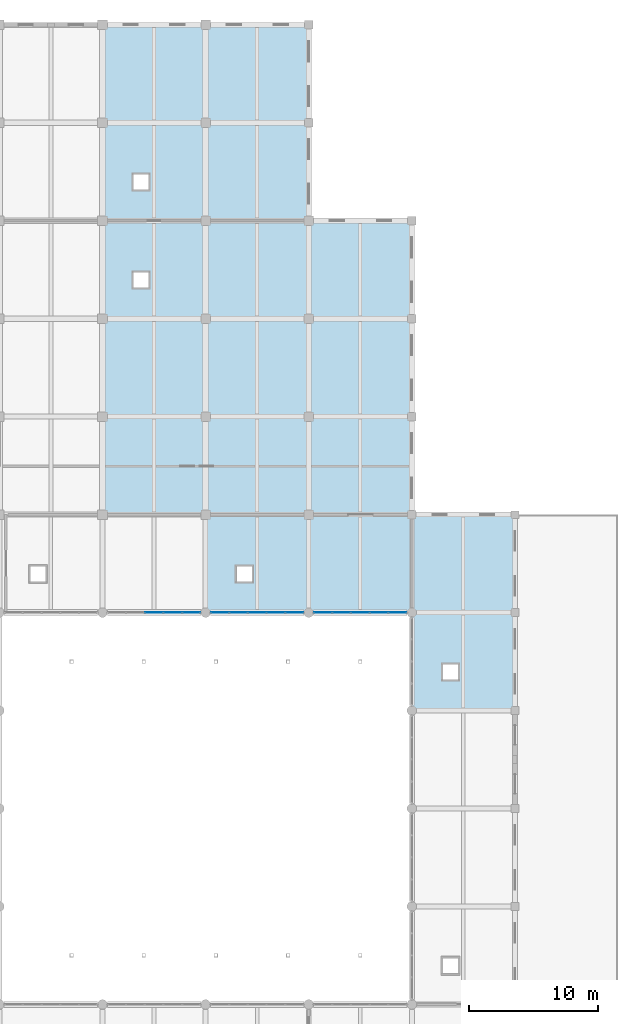
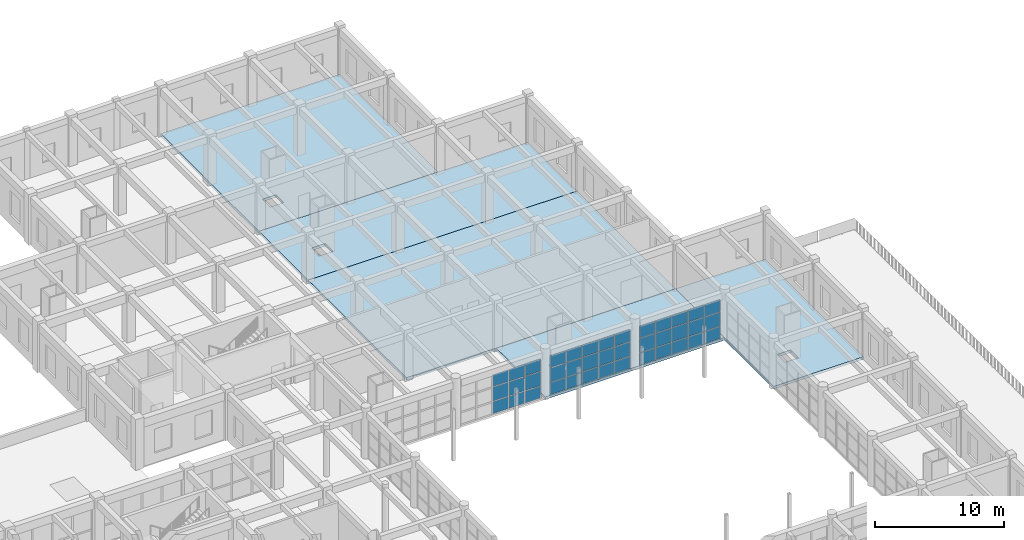
# One storey, part 70 of 101: 39 plates, 5 slabs, 3 elements without a shape of their own.
"""IFC4 building model written with IfcOpenShell, lengths in metres."""

from ifc_helpers import new_model, si_unit, direction, frame, origin, origin_2d, place, context, subcontext, project, spatial, polyline, rectangle, outline, extrude, material, layer, layer_set, type_object, element, aggregate, save


model = new_model("IFC4")

# Units and contexts
model_context = context("Model", 3, precision=1e-05, world=origin(), true_north=direction((0.0, 1.0)))
body_context = subcontext(model_context, "Body", "Model", "MODEL_VIEW")
ifc_project = project(units=[si_unit("LENGTHUNIT", "METRE"), si_unit("AREAUNIT", "SQUARE_METRE"), si_unit("VOLUMEUNIT", "CUBIC_METRE"), si_unit("PLANEANGLEUNIT", "RADIAN"), si_unit("MASSUNIT", "GRAM", prefix="KILO")], contexts=[model_context])

# Site, building, storey
site_placement = place(None, origin())
site = spatial("IfcSite", under=ifc_project, at=site_placement, CompositionType="ELEMENT")
building_placement = place(site_placement, origin())
building = spatial("IfcBuilding", under=site, at=building_placement, Name="Zantavel Square City Hall", CompositionType="ELEMENT")
storey_placement = place(building_placement, frame((0.0, 0.0, 5.39990234375)))
storey = spatial("IfcBuildingStorey", under=building, at=storey_placement, Name="L02", CompositionType="ELEMENT", Elevation=5.39990234375)

# Curtain wall, plates
ifc_material_1 = material(Name="Anodised aluminium 6063-T6", Category="aluminium")
curtain_wall_type = type_object("IfcCurtainWallType", Name="Curtain Wall CRT 7250x3800", PredefinedType="USERDEFINED", material=ifc_material_1)
curtain_wall_1_placement = place(storey_placement, origin())
curtain_wall_1 = element("IfcCurtainWall", 1, at=curtain_wall_1_placement, inside=storey, type_object=curtain_wall_type, Name="L02 Glazed Curtain Wall CW-L02-059", ObjectType="GLAZED CURTAIN WALL", PredefinedType="USERDEFINED")
ifc_material_2 = material(Name="Tempered safety glass low-E double glazing", Category="glass")
ifc_layer_1 = layer(ifc_material_2, 0.028076171875, Name="Tempered safety glass low-E double glazing")
ifc_layer_set_1 = layer_set([ifc_layer_1], Name="Tempered safety glass low-E double glazing")
plate_type = type_object("IfcPlateType", Name="Low-E Curtain Glazing Panel 1450x1267x28", PredefinedType="CURTAIN_PANEL", material=ifc_layer_set_1)
plate_1_placement = place(storey_placement, frame((150.885009765625, 68.39990234375, 0.06005859375), z_axis=(0.0, 0.0, 1.0), x_axis=(-1.0, 0.0, 0.0)))
plate_1 = element("IfcPlate", 2, at=plate_1_placement, type_object=plate_type, Name="CW-059 panel 1.1", PredefinedType="CURTAIN_PANEL", context=body_context, shape_type="SweptSolid", body=[
    extrude(rectangle(XDim=1.360107421875, YDim=0.028076171875, at=origin_2d()), origin(), (0.0, 0.0, 1.0), 1.1259765625),
])
plate_2_placement = place(storey_placement, frame((150.885009765625, 68.39990234375, 1.24609375), z_axis=(0.0, 0.0, 1.0), x_axis=(-1.0, 0.0, 0.0)))
plate_2 = element("IfcPlate", 3, at=plate_2_placement, type_object=plate_type, Name="CW-059 panel 1.2", PredefinedType="CURTAIN_PANEL", context=body_context, shape_type="SweptSolid", body=[
    extrude(rectangle(XDim=1.360107421875, YDim=0.028076171875, at=origin_2d()), origin(), (0.0, 0.0, 1.0), 1.30810546875),
])
plate_3_placement = place(storey_placement, frame((150.885009765625, 68.39990234375, 2.614013671875), z_axis=(0.0, 0.0, 1.0), x_axis=(-1.0, 0.0, 0.0)))
plate_3 = element("IfcPlate", 4, at=plate_3_placement, type_object=plate_type, Name="CW-059 panel 1.3", PredefinedType="CURTAIN_PANEL", context=body_context, shape_type="SweptSolid", body=[
    extrude(rectangle(XDim=1.360107421875, YDim=0.028076171875, at=origin_2d()), origin(), (0.0, 0.0, 1.0), 1.1259765625),
])
plate_4_placement = place(storey_placement, frame((149.449951171875, 68.39990234375, 0.06005859375), z_axis=(0.0, 0.0, 1.0), x_axis=(-1.0, 0.0, 0.0)))
plate_4 = element("IfcPlate", 5, at=plate_4_placement, type_object=plate_type, Name="CW-059 panel 2.1", PredefinedType="CURTAIN_PANEL", context=body_context, shape_type="SweptSolid", body=[
    extrude(rectangle(XDim=1.389892578125, YDim=0.028076171875, at=origin_2d()), origin(), (0.0, 0.0, 1.0), 1.1259765625),
])
plate_5_placement = place(storey_placement, frame((149.449951171875, 68.39990234375, 1.24609375), z_axis=(0.0, 0.0, 1.0), x_axis=(-1.0, 0.0, 0.0)))
plate_5 = element("IfcPlate", 6, at=plate_5_placement, type_object=plate_type, Name="CW-059 panel 2.2", PredefinedType="CURTAIN_PANEL", context=body_context, shape_type="SweptSolid", body=[
    extrude(rectangle(XDim=1.389892578125, YDim=0.028076171875, at=origin_2d()), origin(), (0.0, 0.0, 1.0), 1.30810546875),
])
plate_6_placement = place(storey_placement, frame((149.449951171875, 68.39990234375, 2.614013671875), z_axis=(0.0, 0.0, 1.0), x_axis=(-1.0, 0.0, 0.0)))
plate_6 = element("IfcPlate", 7, at=plate_6_placement, type_object=plate_type, Name="CW-059 panel 2.3", PredefinedType="CURTAIN_PANEL", context=body_context, shape_type="SweptSolid", body=[
    extrude(rectangle(XDim=1.389892578125, YDim=0.028076171875, at=origin_2d()), origin(), (0.0, 0.0, 1.0), 1.1259765625),
])
plate_7_placement = place(storey_placement, frame((148.0, 68.39990234375, 0.06005859375), z_axis=(0.0, 0.0, 1.0), x_axis=(-1.0, 0.0, 0.0)))
plate_7 = element("IfcPlate", 8, at=plate_7_placement, type_object=plate_type, Name="CW-059 panel 3.1", PredefinedType="CURTAIN_PANEL", context=body_context, shape_type="SweptSolid", body=[
    extrude(rectangle(XDim=1.389892578125, YDim=0.028076171875, at=origin_2d()), origin(), (0.0, 0.0, 1.0), 1.1259765625),
])
plate_8_placement = place(storey_placement, frame((148.0, 68.39990234375, 1.24609375), z_axis=(0.0, 0.0, 1.0), x_axis=(-1.0, 0.0, 0.0)))
plate_8 = element("IfcPlate", 9, at=plate_8_placement, type_object=plate_type, Name="CW-059 panel 3.2", PredefinedType="CURTAIN_PANEL", context=body_context, shape_type="SweptSolid", body=[
    extrude(rectangle(XDim=1.389892578125, YDim=0.028076171875, at=origin_2d()), origin(), (0.0, 0.0, 1.0), 1.30810546875),
])
plate_9_placement = place(storey_placement, frame((148.0, 68.39990234375, 2.614013671875), z_axis=(0.0, 0.0, 1.0), x_axis=(-1.0, 0.0, 0.0)))
plate_9 = element("IfcPlate", 10, at=plate_9_placement, type_object=plate_type, Name="CW-059 panel 3.3", PredefinedType="CURTAIN_PANEL", context=body_context, shape_type="SweptSolid", body=[
    extrude(rectangle(XDim=1.389892578125, YDim=0.028076171875, at=origin_2d()), origin(), (0.0, 0.0, 1.0), 1.1259765625),
])
plate_10_placement = place(storey_placement, frame((146.550048828125, 68.39990234375, 0.06005859375), z_axis=(0.0, 0.0, 1.0), x_axis=(-1.0, 0.0, 0.0)))
plate_10 = element("IfcPlate", 11, at=plate_10_placement, type_object=plate_type, Name="CW-059 panel 4.1", PredefinedType="CURTAIN_PANEL", context=body_context, shape_type="SweptSolid", body=[
    extrude(rectangle(XDim=1.389892578125, YDim=0.028076171875, at=origin_2d()), origin(), (0.0, 0.0, 1.0), 1.1259765625),
])
plate_11_placement = place(storey_placement, frame((146.550048828125, 68.39990234375, 1.24609375), z_axis=(0.0, 0.0, 1.0), x_axis=(-1.0, 0.0, 0.0)))
plate_11 = element("IfcPlate", 12, at=plate_11_placement, type_object=plate_type, Name="CW-059 panel 4.2", PredefinedType="CURTAIN_PANEL", context=body_context, shape_type="SweptSolid", body=[
    extrude(rectangle(XDim=1.389892578125, YDim=0.028076171875, at=origin_2d()), origin(), (0.0, 0.0, 1.0), 1.30810546875),
])
plate_12_placement = place(storey_placement, frame((146.550048828125, 68.39990234375, 2.614013671875), z_axis=(0.0, 0.0, 1.0), x_axis=(-1.0, 0.0, 0.0)))
plate_12 = element("IfcPlate", 13, at=plate_12_placement, type_object=plate_type, Name="CW-059 panel 4.3", PredefinedType="CURTAIN_PANEL", context=body_context, shape_type="SweptSolid", body=[
    extrude(rectangle(XDim=1.389892578125, YDim=0.028076171875, at=origin_2d()), origin(), (0.0, 0.0, 1.0), 1.1259765625),
])
plate_13_placement = place(storey_placement, frame((145.114990234375, 68.39990234375, 0.06005859375), z_axis=(0.0, 0.0, 1.0), x_axis=(-1.0, 0.0, 0.0)))
plate_13 = element("IfcPlate", 14, at=plate_13_placement, type_object=plate_type, Name="CW-059 panel 5.1", PredefinedType="CURTAIN_PANEL", context=body_context, shape_type="SweptSolid", body=[
    extrude(rectangle(XDim=1.360107421875, YDim=0.028076171875, at=origin_2d()), origin(), (0.0, 0.0, 1.0), 1.1259765625),
])
plate_14_placement = place(storey_placement, frame((145.114990234375, 68.39990234375, 1.24609375), z_axis=(0.0, 0.0, 1.0), x_axis=(-1.0, 0.0, 0.0)))
plate_14 = element("IfcPlate", 15, at=plate_14_placement, type_object=plate_type, Name="CW-059 panel 5.2", PredefinedType="CURTAIN_PANEL", context=body_context, shape_type="SweptSolid", body=[
    extrude(rectangle(XDim=1.360107421875, YDim=0.028076171875, at=origin_2d()), origin(), (0.0, 0.0, 1.0), 1.30810546875),
])
plate_15_placement = place(storey_placement, frame((145.114990234375, 68.39990234375, 2.614013671875), z_axis=(0.0, 0.0, 1.0), x_axis=(-1.0, 0.0, 0.0)))
plate_15 = element("IfcPlate", 16, at=plate_15_placement, type_object=plate_type, Name="CW-059 panel 5.3", PredefinedType="CURTAIN_PANEL", context=body_context, shape_type="SweptSolid", body=[
    extrude(rectangle(XDim=1.360107421875, YDim=0.028076171875, at=origin_2d()), origin(), (0.0, 0.0, 1.0), 1.1259765625),
])
aggregate(curtain_wall_1, [plate_1, plate_2, plate_3, plate_4, plate_5, plate_6, plate_7, plate_8, plate_9, plate_10, plate_11, plate_12, plate_13, plate_14, plate_15])

curtain_wall_2_placement = place(storey_placement, origin())
curtain_wall_2 = element("IfcCurtainWall", 17, at=curtain_wall_2_placement, inside=storey, type_object=curtain_wall_type, Name="L02 Glazed Curtain Wall CW-L02-060", ObjectType="GLAZED CURTAIN WALL", PredefinedType="USERDEFINED")
plate_16_placement = place(storey_placement, frame((142.885009765625, 68.39990234375, 0.06005859375), z_axis=(0.0, 0.0, 1.0), x_axis=(-1.0, 0.0, 0.0)))
plate_16 = element("IfcPlate", 18, at=plate_16_placement, type_object=plate_type, Name="CW-060 panel 1.1", PredefinedType="CURTAIN_PANEL", context=body_context, shape_type="SweptSolid", body=[
    extrude(rectangle(XDim=1.360107421875, YDim=0.028076171875, at=origin_2d()), origin(), (0.0, 0.0, 1.0), 1.1259765625),
])
plate_17_placement = place(storey_placement, frame((142.885009765625, 68.39990234375, 1.24609375), z_axis=(0.0, 0.0, 1.0), x_axis=(-1.0, 0.0, 0.0)))
plate_17 = element("IfcPlate", 19, at=plate_17_placement, type_object=plate_type, Name="CW-060 panel 1.2", PredefinedType="CURTAIN_PANEL", context=body_context, shape_type="SweptSolid", body=[
    extrude(rectangle(XDim=1.360107421875, YDim=0.028076171875, at=origin_2d()), origin(), (0.0, 0.0, 1.0), 1.30810546875),
])
plate_18_placement = place(storey_placement, frame((142.885009765625, 68.39990234375, 2.614013671875), z_axis=(0.0, 0.0, 1.0), x_axis=(-1.0, 0.0, 0.0)))
plate_18 = element("IfcPlate", 20, at=plate_18_placement, type_object=plate_type, Name="CW-060 panel 1.3", PredefinedType="CURTAIN_PANEL", context=body_context, shape_type="SweptSolid", body=[
    extrude(rectangle(XDim=1.360107421875, YDim=0.028076171875, at=origin_2d()), origin(), (0.0, 0.0, 1.0), 1.1259765625),
])
plate_19_placement = place(storey_placement, frame((141.449951171875, 68.39990234375, 0.06005859375), z_axis=(0.0, 0.0, 1.0), x_axis=(-1.0, 0.0, 0.0)))
plate_19 = element("IfcPlate", 21, at=plate_19_placement, type_object=plate_type, Name="CW-060 panel 2.1", PredefinedType="CURTAIN_PANEL", context=body_context, shape_type="SweptSolid", body=[
    extrude(rectangle(XDim=1.389892578125, YDim=0.028076171875, at=origin_2d()), origin(), (0.0, 0.0, 1.0), 1.1259765625),
])
plate_20_placement = place(storey_placement, frame((141.449951171875, 68.39990234375, 1.24609375), z_axis=(0.0, 0.0, 1.0), x_axis=(-1.0, 0.0, 0.0)))
plate_20 = element("IfcPlate", 22, at=plate_20_placement, type_object=plate_type, Name="CW-060 panel 2.2", PredefinedType="CURTAIN_PANEL", context=body_context, shape_type="SweptSolid", body=[
    extrude(rectangle(XDim=1.389892578125, YDim=0.028076171875, at=origin_2d()), origin(), (0.0, 0.0, 1.0), 1.30810546875),
])
plate_21_placement = place(storey_placement, frame((141.449951171875, 68.39990234375, 2.614013671875), z_axis=(0.0, 0.0, 1.0), x_axis=(-1.0, 0.0, 0.0)))
plate_21 = element("IfcPlate", 23, at=plate_21_placement, type_object=plate_type, Name="CW-060 panel 2.3", PredefinedType="CURTAIN_PANEL", context=body_context, shape_type="SweptSolid", body=[
    extrude(rectangle(XDim=1.389892578125, YDim=0.028076171875, at=origin_2d()), origin(), (0.0, 0.0, 1.0), 1.1259765625),
])
plate_22_placement = place(storey_placement, frame((140.0, 68.39990234375, 0.06005859375), z_axis=(0.0, 0.0, 1.0), x_axis=(-1.0, 0.0, 0.0)))
plate_22 = element("IfcPlate", 24, at=plate_22_placement, type_object=plate_type, Name="CW-060 panel 3.1", PredefinedType="CURTAIN_PANEL", context=body_context, shape_type="SweptSolid", body=[
    extrude(rectangle(XDim=1.389892578125, YDim=0.028076171875, at=origin_2d()), origin(), (0.0, 0.0, 1.0), 1.1259765625),
])
plate_23_placement = place(storey_placement, frame((140.0, 68.39990234375, 1.24609375), z_axis=(0.0, 0.0, 1.0), x_axis=(-1.0, 0.0, 0.0)))
plate_23 = element("IfcPlate", 25, at=plate_23_placement, type_object=plate_type, Name="CW-060 panel 3.2", PredefinedType="CURTAIN_PANEL", context=body_context, shape_type="SweptSolid", body=[
    extrude(rectangle(XDim=1.389892578125, YDim=0.028076171875, at=origin_2d()), origin(), (0.0, 0.0, 1.0), 1.30810546875),
])
plate_24_placement = place(storey_placement, frame((140.0, 68.39990234375, 2.614013671875), z_axis=(0.0, 0.0, 1.0), x_axis=(-1.0, 0.0, 0.0)))
plate_24 = element("IfcPlate", 26, at=plate_24_placement, type_object=plate_type, Name="CW-060 panel 3.3", PredefinedType="CURTAIN_PANEL", context=body_context, shape_type="SweptSolid", body=[
    extrude(rectangle(XDim=1.389892578125, YDim=0.028076171875, at=origin_2d()), origin(), (0.0, 0.0, 1.0), 1.1259765625),
])
plate_25_placement = place(storey_placement, frame((138.550048828125, 68.39990234375, 0.06005859375), z_axis=(0.0, 0.0, 1.0), x_axis=(-1.0, 0.0, 0.0)))
plate_25 = element("IfcPlate", 27, at=plate_25_placement, type_object=plate_type, Name="CW-060 panel 4.1", PredefinedType="CURTAIN_PANEL", context=body_context, shape_type="SweptSolid", body=[
    extrude(rectangle(XDim=1.389892578125, YDim=0.028076171875, at=origin_2d()), origin(), (0.0, 0.0, 1.0), 1.1259765625),
])
plate_26_placement = place(storey_placement, frame((138.550048828125, 68.39990234375, 1.24609375), z_axis=(0.0, 0.0, 1.0), x_axis=(-1.0, 0.0, 0.0)))
plate_26 = element("IfcPlate", 28, at=plate_26_placement, type_object=plate_type, Name="CW-060 panel 4.2", PredefinedType="CURTAIN_PANEL", context=body_context, shape_type="SweptSolid", body=[
    extrude(rectangle(XDim=1.389892578125, YDim=0.028076171875, at=origin_2d()), origin(), (0.0, 0.0, 1.0), 1.30810546875),
])
plate_27_placement = place(storey_placement, frame((138.550048828125, 68.39990234375, 2.614013671875), z_axis=(0.0, 0.0, 1.0), x_axis=(-1.0, 0.0, 0.0)))
plate_27 = element("IfcPlate", 29, at=plate_27_placement, type_object=plate_type, Name="CW-060 panel 4.3", PredefinedType="CURTAIN_PANEL", context=body_context, shape_type="SweptSolid", body=[
    extrude(rectangle(XDim=1.389892578125, YDim=0.028076171875, at=origin_2d()), origin(), (0.0, 0.0, 1.0), 1.1259765625),
])
plate_28_placement = place(storey_placement, frame((137.114990234375, 68.39990234375, 0.06005859375), z_axis=(0.0, 0.0, 1.0), x_axis=(-1.0, 0.0, 0.0)))
plate_28 = element("IfcPlate", 30, at=plate_28_placement, type_object=plate_type, Name="CW-060 panel 5.1", PredefinedType="CURTAIN_PANEL", context=body_context, shape_type="SweptSolid", body=[
    extrude(rectangle(XDim=1.360107421875, YDim=0.028076171875, at=origin_2d()), origin(), (0.0, 0.0, 1.0), 1.1259765625),
])
plate_29_placement = place(storey_placement, frame((137.114990234375, 68.39990234375, 1.24609375), z_axis=(0.0, 0.0, 1.0), x_axis=(-1.0, 0.0, 0.0)))
plate_29 = element("IfcPlate", 31, at=plate_29_placement, type_object=plate_type, Name="CW-060 panel 5.2", PredefinedType="CURTAIN_PANEL", context=body_context, shape_type="SweptSolid", body=[
    extrude(rectangle(XDim=1.360107421875, YDim=0.028076171875, at=origin_2d()), origin(), (0.0, 0.0, 1.0), 1.30810546875),
])
plate_30_placement = place(storey_placement, frame((137.114990234375, 68.39990234375, 2.614013671875), z_axis=(0.0, 0.0, 1.0), x_axis=(-1.0, 0.0, 0.0)))
plate_30 = element("IfcPlate", 32, at=plate_30_placement, type_object=plate_type, Name="CW-060 panel 5.3", PredefinedType="CURTAIN_PANEL", context=body_context, shape_type="SweptSolid", body=[
    extrude(rectangle(XDim=1.360107421875, YDim=0.028076171875, at=origin_2d()), origin(), (0.0, 0.0, 1.0), 1.1259765625),
])
aggregate(curtain_wall_2, [plate_16, plate_17, plate_18, plate_19, plate_20, plate_21, plate_22, plate_23, plate_24, plate_25, plate_26, plate_27, plate_28, plate_29, plate_30])

curtain_wall_3_placement = place(storey_placement, origin())
curtain_wall_3 = element("IfcCurtainWall", 33, at=curtain_wall_3_placement, inside=storey, type_object=curtain_wall_type, Name="L02 Glazed Curtain Wall CW-L02-061", ObjectType="GLAZED CURTAIN WALL", PredefinedType="USERDEFINED")
plate_31_placement = place(storey_placement, frame((134.885009765625, 68.39990234375, 0.06005859375), z_axis=(0.0, 0.0, 1.0), x_axis=(-1.0, 0.0, 0.0)))
plate_31 = element("IfcPlate", 34, at=plate_31_placement, type_object=plate_type, Name="CW-061 panel 1.1", PredefinedType="CURTAIN_PANEL", context=body_context, shape_type="SweptSolid", body=[
    extrude(rectangle(XDim=1.360107421875, YDim=0.028076171875, at=origin_2d()), origin(), (0.0, 0.0, 1.0), 1.1259765625),
])
plate_32_placement = place(storey_placement, frame((134.885009765625, 68.39990234375, 1.24609375), z_axis=(0.0, 0.0, 1.0), x_axis=(-1.0, 0.0, 0.0)))
plate_32 = element("IfcPlate", 35, at=plate_32_placement, type_object=plate_type, Name="CW-061 panel 1.2", PredefinedType="CURTAIN_PANEL", context=body_context, shape_type="SweptSolid", body=[
    extrude(rectangle(XDim=1.360107421875, YDim=0.028076171875, at=origin_2d()), origin(), (0.0, 0.0, 1.0), 1.30810546875),
])
plate_33_placement = place(storey_placement, frame((134.885009765625, 68.39990234375, 2.614013671875), z_axis=(0.0, 0.0, 1.0), x_axis=(-1.0, 0.0, 0.0)))
plate_33 = element("IfcPlate", 36, at=plate_33_placement, type_object=plate_type, Name="CW-061 panel 1.3", PredefinedType="CURTAIN_PANEL", context=body_context, shape_type="SweptSolid", body=[
    extrude(rectangle(XDim=1.360107421875, YDim=0.028076171875, at=origin_2d()), origin(), (0.0, 0.0, 1.0), 1.1259765625),
])
plate_34_placement = place(storey_placement, frame((133.449951171875, 68.39990234375, 0.06005859375), z_axis=(0.0, 0.0, 1.0), x_axis=(-1.0, 0.0, 0.0)))
plate_34 = element("IfcPlate", 37, at=plate_34_placement, type_object=plate_type, Name="CW-061 panel 2.1", PredefinedType="CURTAIN_PANEL", context=body_context, shape_type="SweptSolid", body=[
    extrude(rectangle(XDim=1.389892578125, YDim=0.028076171875, at=origin_2d()), origin(), (0.0, 0.0, 1.0), 1.1259765625),
])
plate_35_placement = place(storey_placement, frame((133.449951171875, 68.39990234375, 1.24609375), z_axis=(0.0, 0.0, 1.0), x_axis=(-1.0, 0.0, 0.0)))
plate_35 = element("IfcPlate", 38, at=plate_35_placement, type_object=plate_type, Name="CW-061 panel 2.2", PredefinedType="CURTAIN_PANEL", context=body_context, shape_type="SweptSolid", body=[
    extrude(rectangle(XDim=1.389892578125, YDim=0.028076171875, at=origin_2d()), origin(), (0.0, 0.0, 1.0), 1.30810546875),
])
plate_36_placement = place(storey_placement, frame((133.449951171875, 68.39990234375, 2.614013671875), z_axis=(0.0, 0.0, 1.0), x_axis=(-1.0, 0.0, 0.0)))
plate_36 = element("IfcPlate", 39, at=plate_36_placement, type_object=plate_type, Name="CW-061 panel 2.3", PredefinedType="CURTAIN_PANEL", context=body_context, shape_type="SweptSolid", body=[
    extrude(rectangle(XDim=1.389892578125, YDim=0.028076171875, at=origin_2d()), origin(), (0.0, 0.0, 1.0), 1.1259765625),
])
plate_37_placement = place(storey_placement, frame((132.0, 68.39990234375, 0.06005859375), z_axis=(0.0, 0.0, 1.0), x_axis=(-1.0, 0.0, 0.0)))
plate_37 = element("IfcPlate", 40, at=plate_37_placement, type_object=plate_type, Name="CW-061 panel 3.1", PredefinedType="CURTAIN_PANEL", context=body_context, shape_type="SweptSolid", body=[
    extrude(rectangle(XDim=1.389892578125, YDim=0.028076171875, at=origin_2d()), origin(), (0.0, 0.0, 1.0), 1.1259765625),
])
plate_38_placement = place(storey_placement, frame((132.0, 68.39990234375, 1.24609375), z_axis=(0.0, 0.0, 1.0), x_axis=(-1.0, 0.0, 0.0)))
plate_38 = element("IfcPlate", 41, at=plate_38_placement, type_object=plate_type, Name="CW-061 panel 3.2", PredefinedType="CURTAIN_PANEL", context=body_context, shape_type="SweptSolid", body=[
    extrude(rectangle(XDim=1.389892578125, YDim=0.028076171875, at=origin_2d()), origin(), (0.0, 0.0, 1.0), 1.30810546875),
])
plate_39_placement = place(storey_placement, frame((132.0, 68.39990234375, 2.614013671875), z_axis=(0.0, 0.0, 1.0), x_axis=(-1.0, 0.0, 0.0)))
plate_39 = element("IfcPlate", 42, at=plate_39_placement, type_object=plate_type, Name="CW-061 panel 3.3", PredefinedType="CURTAIN_PANEL", context=body_context, shape_type="SweptSolid", body=[
    extrude(rectangle(XDim=1.389892578125, YDim=0.028076171875, at=origin_2d()), origin(), (0.0, 0.0, 1.0), 1.1259765625),
])
aggregate(curtain_wall_3, [plate_31, plate_32, plate_33, plate_34, plate_35, plate_36, plate_37, plate_38, plate_39])

# Slabs
ifc_material_3 = material(Name="Concrete C35/45", Category="concrete")
ifc_layer_2 = layer(ifc_material_3, 0.239990234375, Name="Concrete C35/45")
ifc_layer_set_2 = layer_set([ifc_layer_2], Name="Concrete C35/45")
slab_type = type_object("IfcSlabType", Name="Standard Office Floor Slab 240mm C35/45", PredefinedType="FLOOR", material=ifc_layer_set_2)
slab_1_placement = place(storey_placement, frame((0.0, 0.0, -0.239990234375)))
element("IfcSlab", 43, at=slab_1_placement, inside=storey, type_object=slab_type, Name="L02 Floor Slab SLB-L02-V2E-02", PredefinedType="FLOOR", context=body_context, shape_type="SweptSolid", body=[
    extrude(outline(polyline([(160.0, 76.0), (160.0, 60.800048828125), (152.0, 60.800048828125), (152.0, 76.0), (160.0, 76.0)]), holes=[polyline([(155.60009765625, 64.39990234375), (154.39990234375, 64.39990234375), (154.39990234375, 63.199951171875), (155.60009765625, 63.199951171875), (155.60009765625, 64.39990234375)])]), origin(), (0.0, 0.0, 1.0), 0.239990234375),
])
slab_2_placement = place(storey_placement, frame((0.0, 0.0, -0.239990234375)))
element("IfcSlab", 44, at=slab_2_placement, inside=storey, type_object=slab_type, Name="L02 Floor Slab SLB-L02-V2N-02", PredefinedType="FLOOR", context=body_context, shape_type="SweptSolid", body=[
    extrude(outline(polyline([(136.0, 68.39990234375), (136.0, 76.0), (152.0, 76.0), (152.0, 68.39990234375), (136.0, 68.39990234375)]), holes=[polyline([(139.60009765625, 72.0), (138.39990234375, 72.0), (138.39990234375, 70.800048828125), (139.60009765625, 70.800048828125), (139.60009765625, 72.0)])]), origin(), (0.0, 0.0, 1.0), 0.239990234375),
])
slab_3_placement = place(storey_placement, frame((0.0, 0.0, -0.239990234375)))
element("IfcSlab", 45, at=slab_3_placement, inside=storey, type_object=slab_type, Name="L02 Floor Slab SLB-L02-V4M-02", PredefinedType="FLOOR", context=body_context, shape_type="SweptSolid", body=[
    extrude(outline(polyline([(152.0, 91.199951171875), (152.0, 76.0), (136.0, 76.0), (128.0, 76.0), (128.0, 91.199951171875), (152.0, 91.199951171875)])), origin(), (0.0, 0.0, 1.0), 0.239990234375),
])
slab_4_placement = place(storey_placement, frame((0.0, 0.0, -0.239990234375)))
element("IfcSlab", 46, at=slab_4_placement, inside=storey, type_object=slab_type, Name="L02 Floor Slab SLB-L02-V4M-04", PredefinedType="FLOOR", context=body_context, shape_type="SweptSolid", body=[
    extrude(outline(polyline([(152.0, 91.199951171875), (128.0, 91.199951171875), (128.0, 98.800048828125), (152.0, 98.800048828125), (152.0, 91.199951171875)]), holes=[polyline([(131.60009765625, 94.800048828125), (130.39990234375, 94.800048828125), (130.39990234375, 93.60009765625), (131.60009765625, 93.60009765625), (131.60009765625, 94.800048828125)])]), origin(), (0.0, 0.0, 1.0), 0.239990234375),
])
slab_5_placement = place(storey_placement, frame((0.0, 0.0, -0.239990234375)))
element("IfcSlab", 47, at=slab_5_placement, inside=storey, type_object=slab_type, Name="L02 Floor Slab SLB-L02-V4N-02", PredefinedType="FLOOR", context=body_context, shape_type="SweptSolid", body=[
    extrude(outline(polyline([(144.0, 98.800048828125), (128.0, 98.800048828125), (128.0, 114.0), (144.0, 114.0), (144.0, 98.800048828125)]), holes=[polyline([(131.60009765625, 102.39990234375), (130.39990234375, 102.39990234375), (130.39990234375, 101.199951171875), (131.60009765625, 101.199951171875), (131.60009765625, 102.39990234375)])]), origin(), (0.0, 0.0, 1.0), 0.239990234375),
])

save(model, "model.ifc")
